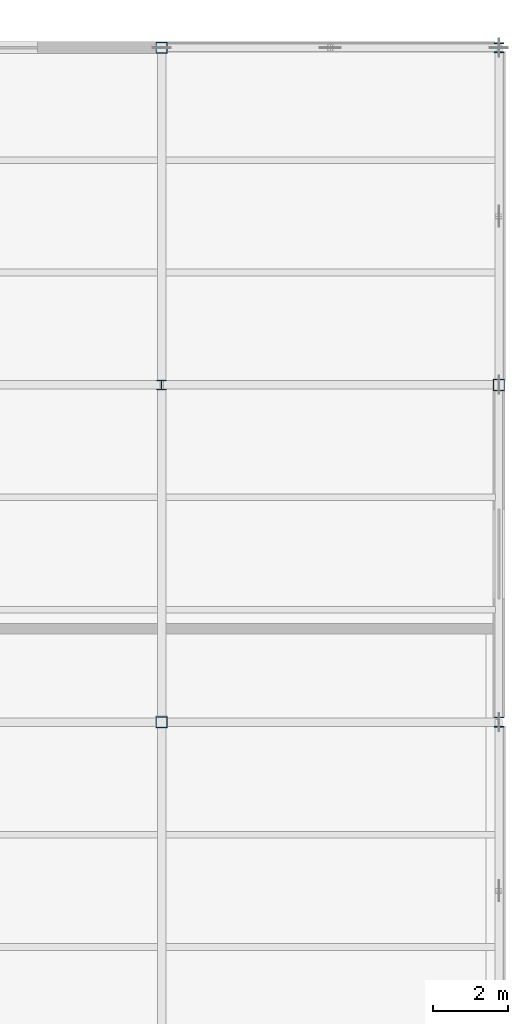
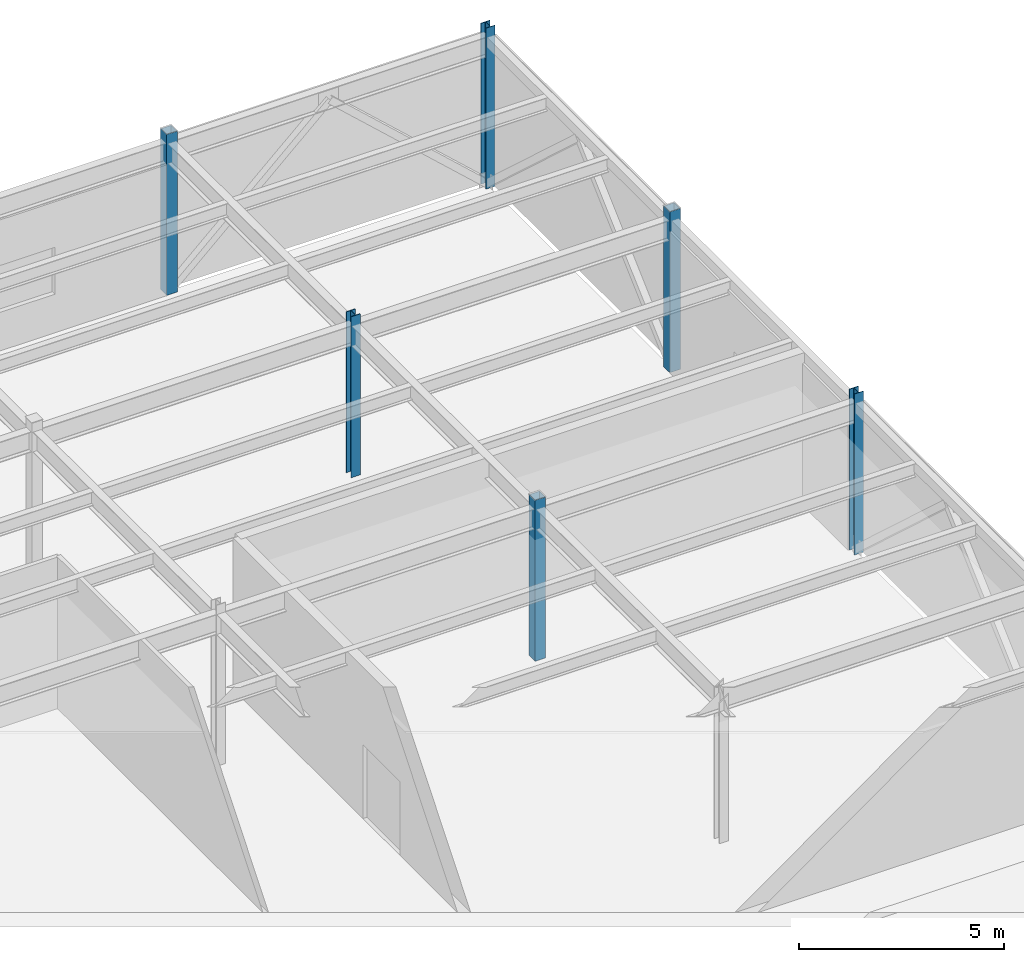
# One storey, part 22 of 86: 6 columns.
"""IFC4 building model written with IfcOpenShell, lengths in metres."""

from ifc_helpers import new_model, si_unit, direction, frame, origin, origin_2d, place, context, subcontext, project, spatial, hollow_rectangle, i_section, extrude, material, material_profile, profile_set, type_object, element, save


model = new_model("IFC4")

# Units and contexts
model_context = context("Model", 3, precision=1e-05, world=origin(), true_north=direction((0.0, 1.0)))
body_context = subcontext(model_context, "Body", "Model", "MODEL_VIEW")
ifc_project = project(units=[si_unit("LENGTHUNIT", "METRE"), si_unit("AREAUNIT", "SQUARE_METRE"), si_unit("VOLUMEUNIT", "CUBIC_METRE"), si_unit("PLANEANGLEUNIT", "RADIAN"), si_unit("MASSUNIT", "GRAM", prefix="KILO")], contexts=[model_context])

# Site, building, storey
site_placement = place(None, origin())
site = spatial("IfcSite", under=ifc_project, at=site_placement, CompositionType="ELEMENT")
building_placement = place(site_placement, origin())
building = spatial("IfcBuilding", under=site, at=building_placement, Name="Glasvene Arena", CompositionType="ELEMENT")
storey_placement = place(building_placement, frame((0.0, 0.0, 5.39990234375)))
storey = spatial("IfcBuildingStorey", under=building, at=storey_placement, Name="L01", CompositionType="ELEMENT", Elevation=5.39990234375)

# Columns
ifc_material = material(Name="Steel S355J2", Category="steel")
ifc_material_profile_1 = material_profile(ifc_material, hollow_rectangle(XDim=0.300048828125, YDim=0.300048828125, WallThickness=0.012451171875, at=origin_2d()), Name="SHS 300x300x12.5")
ifc_profile_set_1 = profile_set([ifc_material_profile_1], Name="Steel S355J2")
column_type_1 = type_object("IfcColumnType", Name="COL-W-SHS300", PredefinedType="COLUMN", material=ifc_profile_set_1)
for number, where, z_axis, x_axis, name in (
    (1, (165.0, 100.0, 0.0), (0.0, 0.0, 1.0), (1.0, 0.0, 0.0), "Grid column 19-12 L01"),
    (2, (165.0, 118.0, 0.0), (0.0, 0.0, 1.0), (1.0, 0.0, 0.0), "Grid column 19-14 L01"),
    (3, (174.0, 109.0, 0.0), (0.0, 0.0, 1.0), (1.0, 0.0, 0.0), "Grid column 20-13 L01"),
):
    element("IfcColumn", number, at=place(storey_placement, frame(where, z_axis=z_axis, x_axis=x_axis)), inside=storey, type_object=column_type_1, Name=name, PredefinedType="COLUMN", context=body_context, shape_type="SweptSolid", body=[
        extrude(hollow_rectangle(XDim=0.300048828125, YDim=0.300048828125, WallThickness=0.012451171875, at=origin_2d()), origin(), (0.0, 0.0, 1.0), 4.800048828125),
    ])
ifc_material_profile_2 = material_profile(ifc_material, i_section(OverallWidth=0.25634765625, OverallDepth=0.26025390625, WebThickness=0.01025390625, FlangeThickness=0.017333984375, FilletRadius=0.0126953125, at=origin_2d()), Name="UKC 254x254x89")
ifc_profile_set_2 = profile_set([ifc_material_profile_2], Name="Steel S355J2")
column_type_2 = type_object("IfcColumnType", Name="COL-W-UKC89", PredefinedType="COLUMN", material=ifc_profile_set_2)
for number, where, z_axis, x_axis, name in (
    (4, (165.0, 109.0, 0.0), (0.0, 0.0, 1.0), (1.0, 0.0, 0.0), "Grid column 19-13 L01"),
    (5, (174.0, 100.0, 0.0), (0.0, 0.0, 1.0), (1.0, 0.0, 0.0), "Grid column 20-12 L01"),
    (6, (174.0, 118.0, 0.0), (0.0, 0.0, 1.0), (1.0, 0.0, 0.0), "Grid column 20-14 L01"),
):
    element("IfcColumn", number, at=place(storey_placement, frame(where, z_axis=z_axis, x_axis=x_axis)), inside=storey, type_object=column_type_2, Name=name, PredefinedType="COLUMN", context=body_context, shape_type="SweptSolid", body=[
        extrude(i_section(OverallWidth=0.25634765625, OverallDepth=0.26025390625, WebThickness=0.01025390625, FlangeThickness=0.017333984375, FilletRadius=0.0126953125, at=origin_2d()), origin(), (0.0, 0.0, 1.0), 4.800048828125),
    ])

save(model, "model.ifc")
